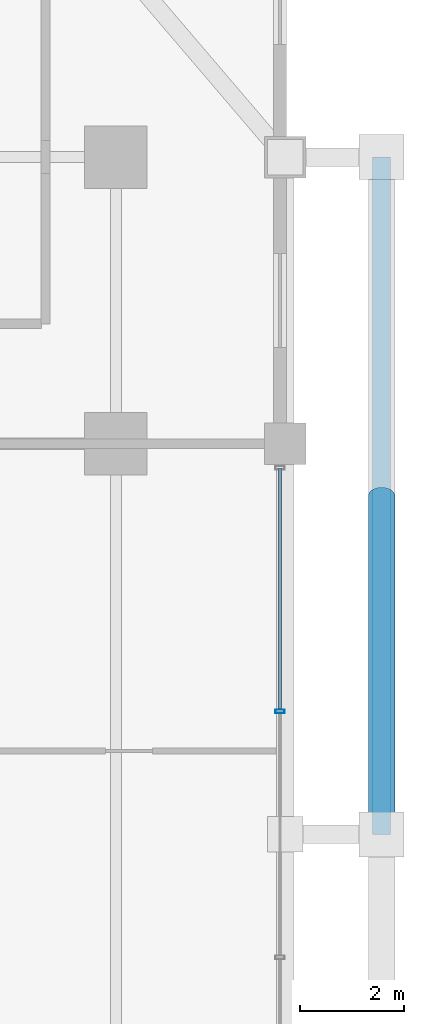
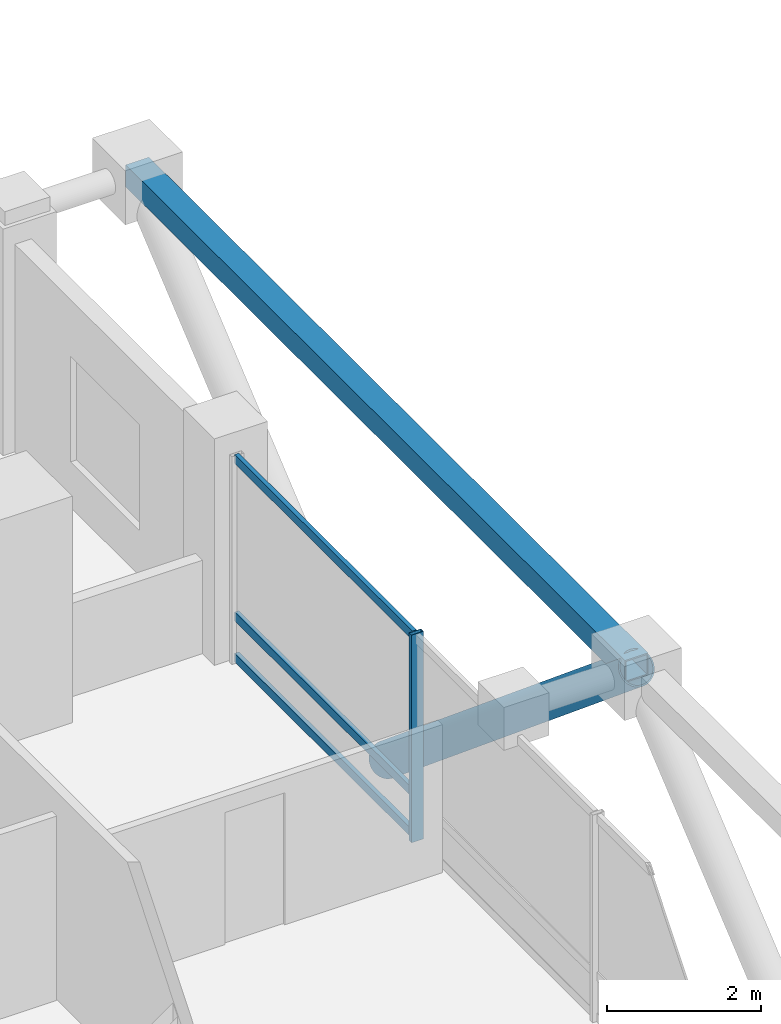
# One storey, part 11 of 25: 6 members, 1 element without a shape of its own.
"""IFC4 building model written with IfcOpenShell, lengths in metres."""

from ifc_helpers import new_model, si_unit, direction, frame, origin, origin_2d, place, context, subcontext, project, spatial, hollow_rectangle, hollow_circle, extrude, material, layer, layer_set, material_profile, profile_set, type_object, element, aggregate, save


model = new_model("IFC4")

# Units and contexts
model_context = context("Model", 3, precision=1e-05, world=origin(), true_north=direction((0.0, 1.0)))
body_context = subcontext(model_context, "Body", "Model", "MODEL_VIEW")
ifc_project = project(units=[si_unit("LENGTHUNIT", "METRE"), si_unit("AREAUNIT", "SQUARE_METRE"), si_unit("VOLUMEUNIT", "CUBIC_METRE"), si_unit("PLANEANGLEUNIT", "RADIAN"), si_unit("MASSUNIT", "GRAM", prefix="KILO")], contexts=[model_context])

# Site, building, storey
site_placement = place(None, origin())
site = spatial("IfcSite", under=ifc_project, at=site_placement, CompositionType="ELEMENT")
building_placement = place(site_placement, origin())
building = spatial("IfcBuilding", under=site, at=building_placement, Name="Barlavira Tower and Art Museum", CompositionType="ELEMENT")
storey_placement = place(building_placement, frame((0.0, 0.0, 162.0)))
storey = spatial("IfcBuildingStorey", under=building, at=storey_placement, Name="L41", CompositionType="ELEMENT", Elevation=162.0)

# Curtain wall, members
ifc_material_1 = material(Name="Low-iron coastal laminated glass", Category="glass")
ifc_layer = layer(ifc_material_1, 0.18994140625, Name="Low-iron coastal laminated glass")
ifc_layer_set = layer_set([ifc_layer], Name="Low-iron coastal laminated glass")
curtain_wall_type = type_object("IfcCurtainWallType", Name="Pale-Metal Unitised Curtain Wall Zone 2", PredefinedType="NOTDEFINED", material=ifc_layer_set)
curtain_wall_placement = place(storey_placement, origin())
curtain_wall = element("IfcCurtainWall", 1, at=curtain_wall_placement, inside=storey, type_object=curtain_wall_type, Name="L41 Curtain Wall CW2-L41-E-B3", PredefinedType="NOTDEFINED")
ifc_material_2 = material(Name="Pale anodised aluminium", Category="aluminium")
ifc_material_profile_1 = material_profile(ifc_material_2, hollow_rectangle(XDim=0.06494140625, YDim=0.179931640625, WallThickness=0.00390625, at=origin_2d()), Name="ALU-MULL 65x180x4")
ifc_profile_set_1 = profile_set([ifc_material_profile_1], Name="Pale anodised aluminium")
member_type_1 = type_object("IfcMemberType", Name="Curtain Wall Pale-Metal Mullion 65x180", PredefinedType="MULLION", material=ifc_profile_set_1)
member_1_placement = place(storey_placement, frame((20.14990234375, 2.360107421875, 0.0), z_axis=(0.0, 0.0, 1.0), x_axis=(0.0, 1.0, 0.0)))
member_1 = element("IfcMember", 2, at=member_1_placement, type_object=member_type_1, Name="CW2-L41-E-B3 Mullion 2", PredefinedType="MULLION", context=body_context, shape_type="SweptSolid", body=[
    extrude(hollow_rectangle(XDim=0.06494140625, YDim=0.179931640625, WallThickness=0.00390625, at=origin_2d()), origin(), (0.0, 0.0, 1.0), 3.300048828125),
])
ifc_material_profile_2 = material_profile(ifc_material_2, hollow_rectangle(XDim=0.06494140625, YDim=0.139892578125, WallThickness=0.00390625, at=origin_2d()), Name="ALU-TRAN 65x140x4")
ifc_profile_set_2 = profile_set([ifc_material_profile_2], Name="Pale anodised aluminium")
member_type_2 = type_object("IfcMemberType", Name="Curtain Wall Pale-Metal Transom 65x140", PredefinedType="USERDEFINED", material=ifc_profile_set_2)
member_2_placement = place(storey_placement, frame((20.14990234375, 2.405029296875, 0.070068359375), z_axis=(0.0, 1.0, 0.0), x_axis=(-1.0, 0.0, 0.0)))
member_2 = element("IfcMember", 3, at=member_2_placement, type_object=member_type_2, Name="CW2-L41-E-B3 Transom 2.1", ObjectType="TRANSOM", PredefinedType="USERDEFINED", context=body_context, shape_type="SweptSolid", body=[
    extrude(hollow_rectangle(XDim=0.06494140625, YDim=0.139892578125, WallThickness=0.00390625, at=origin_2d()), origin(), (0.0, 0.0, 1.0), 4.6298828125),
])
member_3_placement = place(storey_placement, frame((20.14990234375, 2.405029296875, 0.72607421875), z_axis=(0.0, 1.0, 0.0), x_axis=(-1.0, 0.0, 0.0)))
member_3 = element("IfcMember", 4, at=member_3_placement, type_object=member_type_2, Name="CW2-L41-E-B3 Transom 2.2", ObjectType="TRANSOM", PredefinedType="USERDEFINED", context=body_context, shape_type="SweptSolid", body=[
    extrude(hollow_rectangle(XDim=0.06494140625, YDim=0.139892578125, WallThickness=0.00390625, at=origin_2d()), origin(), (0.0, 0.0, 1.0), 4.6298828125),
])
member_4_placement = place(storey_placement, frame((20.14990234375, 2.405029296875, 3.22998046875), z_axis=(0.0, 1.0, 0.0), x_axis=(-1.0, 0.0, 0.0)))
member_4 = element("IfcMember", 5, at=member_4_placement, type_object=member_type_2, Name="CW2-L41-E-B3 Transom 2.3", ObjectType="TRANSOM", PredefinedType="USERDEFINED", context=body_context, shape_type="SweptSolid", body=[
    extrude(hollow_rectangle(XDim=0.06494140625, YDim=0.139892578125, WallThickness=0.00390625, at=origin_2d()), origin(), (0.0, 0.0, 1.0), 4.6298828125),
])
aggregate(curtain_wall, [member_1, member_2, member_3, member_4])

# Members
ifc_material_3 = material(Name="Steel S355", Category="steel")
ifc_material_profile_3 = material_profile(ifc_material_3, hollow_circle(Radius=0.25390625, WallThickness=0.022216796875, at=origin_2d()), Name="CHS 508.0x22.2")
ifc_profile_set_3 = profile_set([ifc_material_profile_3], Name="Steel S355")
member_type_3 = type_object("IfcMemberType", Name="Pale-Metal Exoskeleton Diagrid Tube CHS 508x22 Steel S355", PredefinedType="BRACE", material=ifc_profile_set_3)
member_5_placement = place(storey_placement, frame((22.10009765625, 6.5, -1.919921875), z_axis=(0.0, -0.769196053329, 0.639012857104), x_axis=(1.0, 0.0, 0.0)))
element("IfcMember", 6, at=member_5_placement, inside=storey, type_object=member_type_3, Name="L41 Exoskeleton Diagrid Tube E", PredefinedType="BRACE", context=body_context, shape_type="SweptSolid", body=[
    extrude(hollow_circle(Radius=0.25390625, WallThickness=0.022216796875, at=origin_2d()), origin(), (0.0, 0.0, 1.0), 8.450439453125),
])
ifc_material_profile_4 = material_profile(ifc_material_3, hollow_rectangle(XDim=0.35009765625, YDim=0.35009765625, WallThickness=0.02001953125, at=origin_2d()), Name="SHS 350x350x20.0")
ifc_profile_set_4 = profile_set([ifc_material_profile_4], Name="Steel S355")
member_type_4 = type_object("IfcMemberType", Name="Pale-Metal Exoskeleton Ring Strut SHS 350x350x20 Steel S355", PredefinedType="STRUT", material=ifc_profile_set_4)
member_6_placement = place(storey_placement, frame((22.10009765625, 0.0, 3.47998046875), z_axis=(0.0, 1.0, 0.0), x_axis=(-1.0, 0.0, 0.0)))
element("IfcMember", 7, at=member_6_placement, inside=storey, type_object=member_type_4, Name="L41 Exoskeleton Top Ring Strut E", PredefinedType="STRUT", context=body_context, shape_type="SweptSolid", body=[
    extrude(hollow_rectangle(XDim=0.35009765625, YDim=0.35009765625, WallThickness=0.02001953125, at=origin_2d()), origin(), (0.0, 0.0, 1.0), 13.0),
])

save(model, "model.ifc")
